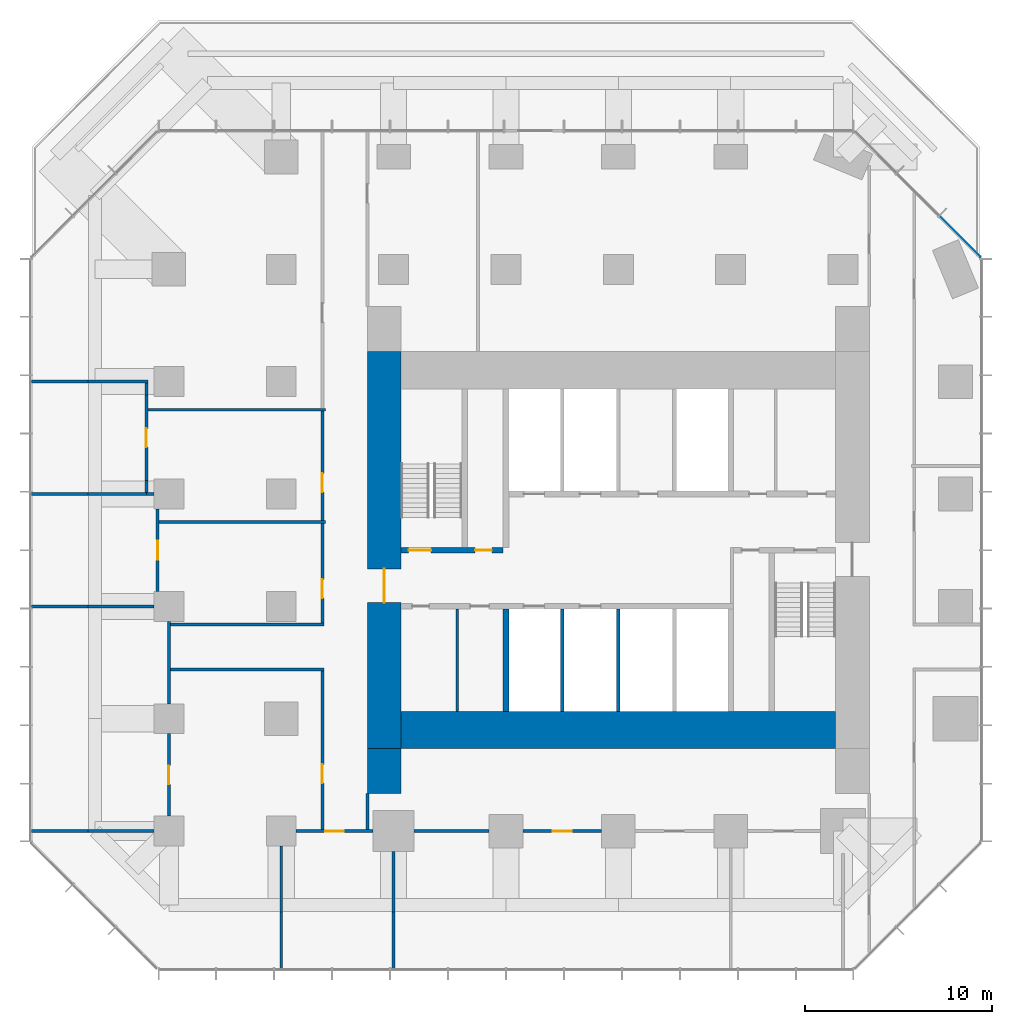
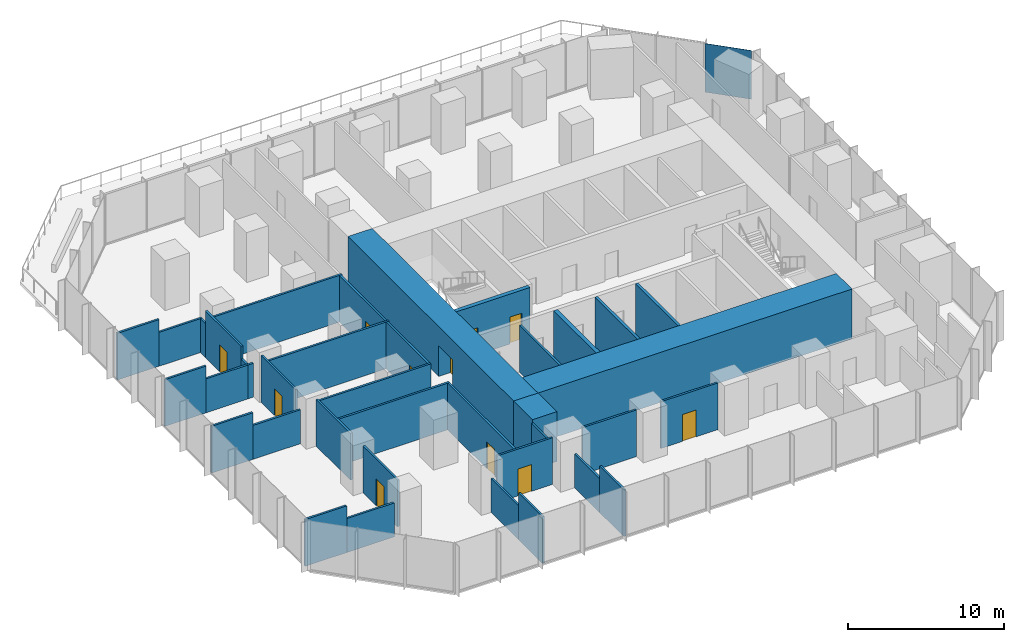
# One storey, part 8 of 11: 38 walls, 11 doors, 1 plate, 11 openings, 1 element without a shape of its own.
"""IFC4 building model written with IfcOpenShell, lengths in metres."""

from ifc_helpers import new_model, si_unit, direction, frame, frame_2d, origin, origin_2d, place, context, subcontext, project, spatial, rectangle, extrude, material, layer, layer_set, type_object, element, fill, aggregate, save


model = new_model("IFC4")

# Units and contexts
model_context = context("Model", 3, precision=1e-05, world=origin(), true_north=direction((0.0, 1.0)))
body_context = subcontext(model_context, "Body", "Model", "MODEL_VIEW")
ifc_project = project(units=[si_unit("LENGTHUNIT", "METRE"), si_unit("AREAUNIT", "SQUARE_METRE"), si_unit("VOLUMEUNIT", "CUBIC_METRE"), si_unit("PLANEANGLEUNIT", "RADIAN"), si_unit("MASSUNIT", "GRAM", prefix="KILO")], contexts=[model_context])

# Site, building, storey
site_placement = place(None, origin())
site = spatial("IfcSite", under=ifc_project, at=site_placement, CompositionType="ELEMENT")
building_placement = place(site_placement, origin())
building = spatial("IfcBuilding", under=site, at=building_placement, Name="Highveld Stack Headquarters", CompositionType="ELEMENT")
storey_placement = place(building_placement, frame((0.0, 0.0, 117.199951171875)))
storey = spatial("IfcBuildingStorey", under=building, at=storey_placement, Name="L28", CompositionType="ELEMENT", Elevation=117.199951171875)

# Curtain wall, plate
ifc_material_1 = material(Name="Aluminium bronze anodised", Category="aluminium")
ifc_layer_1 = layer(ifc_material_1, 0.199951171875)
ifc_layer_set_1 = layer_set([ifc_layer_1], Name="Aluminium bronze anodised")
curtain_wall_type = type_object("IfcCurtainWallType", Name="CW2 TOWER CHAMFER UNITISED CURTAIN WALL", PredefinedType="NOTDEFINED", material=ifc_layer_set_1)
curtain_wall_placement = place(storey_placement, origin())
curtain_wall = element("IfcCurtainWall", 1, at=curtain_wall_placement, inside=storey, type_object=curtain_wall_type, Name="Curtain wall CW2 L28 NE", PredefinedType="NOTDEFINED")
ifc_material_2 = material(Name="Glass bronze tinted double glazed unit", Category="glass")
ifc_layer_2 = layer(ifc_material_2, 0.028076171875)
ifc_layer_set_2 = layer_set([ifc_layer_2], Name="Glass bronze tinted double glazed unit")
plate_type = type_object("IfcPlateType", Name="CW2 PANEL BRONZE TINTED DOUBLE GLAZED UNIT", PredefinedType="CURTAIN_PANEL", material=ifc_layer_set_2)
plate_placement = place(storey_placement, frame((24.239501953125, 19.740478515625, 0.10009765625), z_axis=(0.0, 0.0, 1.0), x_axis=(-0.707106781187, 0.707106781187, 0.0)))
plate = element("IfcPlate", 2, at=plate_placement, type_object=plate_type, Name="CW2 panel L28 1.1", PredefinedType="CURTAIN_PANEL", context=body_context, shape_type="SweptSolid", body=[
    extrude(rectangle(XDim=3.08251953125, YDim=0.028076171875, at=origin_2d()), origin(), (0.0, 0.0, 1.0), 3.800048828125),
])
aggregate(curtain_wall, [plate])

# Wall, opening, door
ifc_material_3 = material(Name="Concrete C60/75", Category="concrete")
ifc_layer_3 = layer(ifc_material_3, 1.800048828125)
ifc_layer_set_3 = layer_set([ifc_layer_3], Name="Concrete C60/75")
wall_type_1 = type_object("IfcWallType", Name="CORE WALL 1800 C60/75", PredefinedType="SHEAR", material=ifc_layer_set_3)
wall_1_placement = place(storey_placement, frame((-6.5, -7.60009765625, 0.0), z_axis=(0.0, 0.0, 1.0), x_axis=(0.0, 1.0, 0.0)))
wall_1 = element("IfcWall", 3, at=wall_1_placement, inside=storey, type_object=wall_type_1, Name="Core wall W L28", PredefinedType="SHEAR", context=body_context, shape_type="SweptSolid", body=[
    extrude(rectangle(XDim=21.2001953125, YDim=1.800048828125, at=frame_2d((10.60009765625, 0.0))), origin(), (0.0, 0.0, 1.0), 3.900146484375),
])
opening_1_placement = place(wall_1_placement, frame((7.800048828125, 0.0, 0.0)))
opening_1 = element("IfcOpeningElement", 4, at=opening_1_placement, cuts=wall_1, Name="Opening L28-02", PredefinedType="OPENING", context=body_context, shape_type="SweptSolid", body=[
    extrude(rectangle(XDim=1.800048828125, YDim=2.39990234375, at=frame_2d((0.89990234375, 1.199951171875))), frame((0.0, 0.909912109375, 0.0), z_axis=(0.0, -1.0, 0.0), x_axis=(1.0, 0.0, 0.0)), (0.0, 0.0, 1.0), 1.820068359375),
])
ifc_material_4 = material(Name="Steel fire door", Category="steel")
door_type_1 = type_object("IfcDoorType", Name="LOBBY FIRE DOOR D4 1800x2400", OperationType="DOUBLE_DOOR_SINGLE_SWING", PredefinedType="DOOR", material=ifc_material_4)
door_1_placement = place(opening_1_placement, origin())
door_1 = element("IfcDoor", 5, at=door_1_placement, inside=storey, type_object=door_type_1, Name="Core west door L28", OperationType="DOUBLE_DOOR_SINGLE_SWING", OverallHeight=2.39990234375, OverallWidth=1.800048828125, PredefinedType="DOOR", context=body_context, shape_type="SweptSolid", body=[
    extrude(rectangle(XDim=1.800048828125, YDim=2.39990234375, at=frame_2d((0.89990234375, 1.199951171875))), frame((0.0, 0.02490234375, 0.0), z_axis=(0.0, -1.0, 0.0), x_axis=(1.0, 0.0, 0.0)), (0.0, 0.0, 1.0), 0.050048828125),
])
fill(opening_1, door_1)

# Wall
ifc_material_5 = material(Name="Concrete C60/75", Category="concrete")
ifc_layer_4 = layer(ifc_material_5, 2.0)
ifc_layer_set_4 = layer_set([ifc_layer_4], Name="Concrete C60/75")
wall_type_2 = type_object("IfcWallType", Name="CORE WALL 2000 C60/75", PredefinedType="SHEAR", material=ifc_layer_set_4)
wall_2_placement = place(storey_placement, frame((-5.60009765625, -6.60009765625, 0.0), z_axis=(0.0, 0.0, 1.0), x_axis=(1.0, 0.0, 0.0)))
element("IfcWall", 6, at=wall_2_placement, inside=storey, type_object=wall_type_2, Name="Core wall S L28", PredefinedType="SHEAR", context=body_context, shape_type="SweptSolid", body=[
    extrude(rectangle(XDim=23.2001953125, YDim=2.0, at=frame_2d((11.60009765625, 0.0))), origin(), (0.0, 0.0, 1.0), 3.900146484375),
])

# Wall, openings, doors
ifc_material_6 = material(Name="Concrete C60/75", Category="concrete")
ifc_layer_5 = layer(ifc_material_6, 0.300048828125)
ifc_layer_set_5 = layer_set([ifc_layer_5], Name="Concrete C60/75")
wall_type_3 = type_object("IfcWallType", Name="CORE WALL 300 C60/75", PredefinedType="SHEAR", material=ifc_layer_set_5)
wall_3_placement = place(storey_placement, frame((-5.60009765625, 3.0, 0.0), z_axis=(0.0, 0.0, 1.0), x_axis=(1.0, 0.0, 0.0)))
wall_3 = element("IfcWall", 7, at=wall_3_placement, inside=storey, type_object=wall_type_3, Name="Core wall I-Y3W L28", PredefinedType="SHEAR", context=body_context, shape_type="SweptSolid", body=[
    extrude(rectangle(XDim=5.4501953125, YDim=0.300048828125, at=frame_2d((2.72509765625, 0.0))), origin(), (0.0, 0.0, 1.0), 3.900146484375),
])
opening_2_placement = place(wall_3_placement, frame((0.39990234375, 0.0, 0.0)))
opening_2 = element("IfcOpeningElement", 8, at=opening_2_placement, cuts=wall_3, Name="Opening L28-04", PredefinedType="OPENING", context=body_context, shape_type="SweptSolid", body=[
    extrude(rectangle(XDim=1.199951171875, YDim=2.10009765625, at=frame_2d((0.60009765625, 1.050048828125))), frame((0.0, 0.159912109375, 0.0), z_axis=(0.0, -1.0, 0.0), x_axis=(1.0, 0.0, 0.0)), (0.0, 0.0, 1.0), 0.320068359375),
])
opening_3_placement = place(wall_3_placement, frame((3.949951171875, 0.0, 0.0)))
opening_3 = element("IfcOpeningElement", 9, at=opening_3_placement, cuts=wall_3, Name="Opening L28-05", PredefinedType="OPENING", context=body_context, shape_type="SweptSolid", body=[
    extrude(rectangle(XDim=0.89990234375, YDim=2.10009765625, at=frame_2d((0.449951171875, 1.050048828125))), frame((0.0, 0.159912109375, 0.0), z_axis=(0.0, -1.0, 0.0), x_axis=(1.0, 0.0, 0.0)), (0.0, 0.0, 1.0), 0.320068359375),
])
ifc_material_7 = material(Name="Steel fire door", Category="steel")
door_type_2 = type_object("IfcDoorType", Name="RISER ACCESS DOOR D5 900x2100", OperationType="SINGLE_SWING_LEFT", PredefinedType="DOOR", material=ifc_material_7)
door_2_placement = place(opening_3_placement, origin())
door_2 = element("IfcDoor", 10, at=door_2_placement, inside=storey, type_object=door_type_2, Name="Riser R1 door L28", OperationType="SINGLE_SWING_RIGHT", OverallHeight=2.10009765625, OverallWidth=0.89990234375, PredefinedType="DOOR", context=body_context, shape_type="SweptSolid", body=[
    extrude(rectangle(XDim=0.89990234375, YDim=2.10009765625, at=frame_2d((0.449951171875, 1.050048828125))), frame((0.0, 0.02490234375, 0.0), z_axis=(0.0, -1.0, 0.0), x_axis=(1.0, 0.0, 0.0)), (0.0, 0.0, 1.0), 0.050048828125),
])
fill(opening_3, door_2)
ifc_material_8 = material(Name="Steel fire door", Category="steel")
door_type_3 = type_object("IfcDoorType", Name="STAIR FIRE DOOR D3 1200x2100", OperationType="SINGLE_SWING_LEFT", PredefinedType="DOOR", material=ifc_material_8)
door_3_placement = place(opening_2_placement, origin())
door_3 = element("IfcDoor", 11, at=door_3_placement, inside=storey, type_object=door_type_3, Name="Stair S1 door L28", OperationType="SINGLE_SWING_LEFT", OverallHeight=2.10009765625, OverallWidth=1.199951171875, PredefinedType="DOOR", context=body_context, shape_type="SweptSolid", body=[
    extrude(rectangle(XDim=1.199951171875, YDim=2.10009765625, at=frame_2d((0.60009765625, 1.050048828125))), frame((0.0, 0.02490234375, 0.0), z_axis=(0.0, -1.0, 0.0), x_axis=(1.0, 0.0, 0.0)), (0.0, 0.0, 1.0), 0.050048828125),
])
fill(opening_2, door_3)

# Walls
wall_4_placement = place(storey_placement, frame((0.0, -5.60009765625, 0.0), z_axis=(0.0, 0.0, 1.0), x_axis=(0.0, 1.0, 0.0)))
element("IfcWall", 12, at=wall_4_placement, inside=storey, type_object=wall_type_3, Name="Core wall I-X0S L28", PredefinedType="SHEAR", context=body_context, shape_type="SweptSolid", body=[
    extrude(rectangle(XDim=5.4501953125, YDim=0.300048828125, at=frame_2d((2.72509765625, 0.0))), origin(), (0.0, 0.0, 1.0), 3.900146484375),
])
ifc_material_9 = material(Name="Concrete C60/75", Category="concrete")
ifc_layer_6 = layer(ifc_material_9, 1.800048828125)
ifc_layer_set_6 = layer_set([ifc_layer_6], Name="Concrete C60/75")
wall_type_4 = type_object("IfcWallType", Name="CORE WING WALL 1800 C60/75", PredefinedType="SHEAR", material=ifc_layer_set_6)
wall_5_placement = place(storey_placement, frame((-6.5, -10.0, 0.0), z_axis=(0.0, 0.0, 1.0), x_axis=(0.0, 1.0, 0.0)))
element("IfcWall", 13, at=wall_5_placement, inside=storey, type_object=wall_type_4, Name="Core wing wall WS L28", PredefinedType="SHEAR", context=body_context, shape_type="SweptSolid", body=[
    extrude(rectangle(XDim=2.39990234375, YDim=1.800048828125, at=frame_2d((1.199951171875, 0.0))), origin(), (0.0, 0.0, 1.0), 3.900146484375),
])

# Wall, opening, door
ifc_material_10 = material(Name="Laminated glass in aluminium frame", Category="aluminium")
ifc_layer_7 = layer(ifc_material_10, 0.14990234375)
ifc_layer_set_7 = layer_set([ifc_layer_7], Name="Laminated glass in aluminium frame")
wall_type_5 = type_object("IfcWallType", Name="GLAZED PARTITION 150", PredefinedType="PARTITIONING", material=ifc_layer_set_7)
wall_6_placement = place(storey_placement, frame((-11.199951171875, -12.0, 0.0), z_axis=(0.0, 0.0, 1.0), x_axis=(1.0, 0.0, 0.0)))
wall_6 = element("IfcWall", 14, at=wall_6_placement, inside=storey, type_object=wall_type_5, Name="Glazed partition Meeting room L28", PredefinedType="PARTITIONING", context=body_context, shape_type="SweptSolid", body=[
    extrude(rectangle(XDim=4.099853515625, YDim=0.14990234375, at=frame_2d((2.0498046875, 0.0))), origin(), (0.0, 0.0, 1.0), 3.650146484375),
])
opening_4_placement = place(wall_6_placement, frame((1.550048828125, 0.0, 0.0)))
opening_4 = element("IfcOpeningElement", 15, at=opening_4_placement, cuts=wall_6, Name="Opening L28-13", PredefinedType="OPENING", context=body_context, shape_type="SweptSolid", body=[
    extrude(rectangle(XDim=1.0, YDim=2.10009765625, at=frame_2d((0.5, 1.050048828125))), frame((0.0, 0.0849609375, 0.0), z_axis=(0.0, -1.0, 0.0), x_axis=(1.0, 0.0, 0.0)), (0.0, 0.0, 1.0), 0.169921875),
])
ifc_material_11 = material(Name="Timber door, oiled ash", Category="wood")
door_type_4 = type_object("IfcDoorType", Name="ROOM DOOR D6 1000x2100", OperationType="SINGLE_SWING_LEFT", PredefinedType="DOOR", material=ifc_material_11)
door_4_placement = place(opening_4_placement, origin())
door_4 = element("IfcDoor", 16, at=door_4_placement, inside=storey, type_object=door_type_4, Name="Meeting room door 1 L28", OperationType="SINGLE_SWING_RIGHT", OverallHeight=2.10009765625, OverallWidth=1.0, PredefinedType="DOOR", context=body_context, shape_type="SweptSolid", body=[
    extrude(rectangle(XDim=1.0, YDim=2.10009765625, at=frame_2d((0.5, 1.050048828125))), frame((0.0, 0.02490234375, 0.0), z_axis=(0.0, -1.0, 0.0), x_axis=(1.0, 0.0, 0.0)), (0.0, 0.0, 1.0), 0.050048828125),
])
fill(opening_4, door_4)

# Wall
wall_7_placement = place(storey_placement, frame((-4.89990234375, -12.0, 0.0), z_axis=(0.0, 0.0, 1.0), x_axis=(1.0, 0.0, 0.0)))
element("IfcWall", 17, at=wall_7_placement, inside=storey, type_object=wall_type_5, Name="Glazed partition Project office L28", PredefinedType="PARTITIONING", context=body_context, shape_type="SweptSolid", body=[
    extrude(rectangle(XDim=4.0, YDim=0.14990234375, at=frame_2d((2.0, 0.0))), origin(), (0.0, 0.0, 1.0), 3.650146484375),
])

# Wall, opening, door
wall_8_placement = place(storey_placement, frame((0.89990234375, -12.0, 0.0), z_axis=(0.0, 0.0, 1.0), x_axis=(1.0, 0.0, 0.0)))
wall_8 = element("IfcWall", 18, at=wall_8_placement, inside=storey, type_object=wall_type_5, Name="Glazed partition Project office L28", PredefinedType="PARTITIONING", context=body_context, shape_type="SweptSolid", body=[
    extrude(rectangle(XDim=4.2001953125, YDim=0.14990234375, at=frame_2d((2.10009765625, 0.0))), origin(), (0.0, 0.0, 1.0), 3.650146484375),
])
opening_5_placement = place(wall_8_placement, frame((1.60009765625, 0.0, 0.0)))
opening_5 = element("IfcOpeningElement", 19, at=opening_5_placement, cuts=wall_8, Name="Opening L28-15", PredefinedType="OPENING", context=body_context, shape_type="SweptSolid", body=[
    extrude(rectangle(XDim=1.0, YDim=2.10009765625, at=frame_2d((0.5, 1.050048828125))), frame((0.0, 0.0849609375, 0.0), z_axis=(0.0, -1.0, 0.0), x_axis=(1.0, 0.0, 0.0)), (0.0, 0.0, 1.0), 0.169921875),
])
door_5_placement = place(opening_5_placement, origin())
door_5 = element("IfcDoor", 20, at=door_5_placement, inside=storey, type_object=door_type_4, Name="Project office door 2 L28", OperationType="SINGLE_SWING_RIGHT", OverallHeight=2.10009765625, OverallWidth=1.0, PredefinedType="DOOR", context=body_context, shape_type="SweptSolid", body=[
    extrude(rectangle(XDim=1.0, YDim=2.10009765625, at=frame_2d((0.5, 1.050048828125))), frame((0.0, 0.02490234375, 0.0), z_axis=(0.0, -1.0, 0.0), x_axis=(1.0, 0.0, 0.0)), (0.0, 0.0, 1.0), 0.050048828125),
])
fill(opening_5, door_5)

wall_9_placement = place(storey_placement, frame((-18.60009765625, 0.800048828125, 0.0), z_axis=(0.0, 0.0, 1.0), x_axis=(0.0, 1.0, 0.0)))
wall_9 = element("IfcWall", 21, at=wall_9_placement, inside=storey, type_object=wall_type_5, Name="Glazed partition Video conference room L28", PredefinedType="PARTITIONING", context=body_context, shape_type="SweptSolid", body=[
    extrude(rectangle(XDim=4.39990234375, YDim=0.14990234375, at=frame_2d((2.199951171875, 0.0))), origin(), (0.0, 0.0, 1.0), 3.650146484375),
])
opening_6_placement = place(wall_9_placement, frame((1.699951171875, 0.0, 0.0)))
opening_6 = element("IfcOpeningElement", 22, at=opening_6_placement, cuts=wall_9, Name="Opening L28-18", PredefinedType="OPENING", context=body_context, shape_type="SweptSolid", body=[
    extrude(rectangle(XDim=1.0, YDim=2.10009765625, at=frame_2d((0.5, 1.050048828125))), frame((0.0, 0.0849609375, 0.0), z_axis=(0.0, -1.0, 0.0), x_axis=(1.0, 0.0, 0.0)), (0.0, 0.0, 1.0), 0.169921875),
])
door_6_placement = place(opening_6_placement, origin())
door_6 = element("IfcDoor", 23, at=door_6_placement, inside=storey, type_object=door_type_4, Name="Video conference room door 1 L28", OperationType="SINGLE_SWING_RIGHT", OverallHeight=2.10009765625, OverallWidth=1.0, PredefinedType="DOOR", context=body_context, shape_type="SweptSolid", body=[
    extrude(rectangle(XDim=1.0, YDim=2.10009765625, at=frame_2d((0.5, 1.050048828125))), frame((0.0, 0.02490234375, 0.0), z_axis=(0.0, -1.0, 0.0), x_axis=(1.0, 0.0, 0.0)), (0.0, 0.0, 1.0), 0.050048828125),
])
fill(opening_6, door_6)

# Walls
ifc_material_12 = material(Name="Concrete blockwork, fair-faced", Category="masonry")
ifc_layer_8 = layer(ifc_material_12, 0.199951171875)
ifc_layer_set_8 = layer_set([ifc_layer_8], Name="Concrete blockwork, fair-faced")
wall_type_6 = type_object("IfcWallType", Name="LIFT SHAFT ENCLOSURE WALL 200 BLOCKWORK", PredefinedType="SOLIDWALL", material=ifc_layer_set_8)
for number, where, z_axis, x_axis, name in (
    (24, (3.0, -5.60009765625, 0.0), (0.0, 0.0, 1.0), (0.0, 1.0, 0.0), "Lift shaft wall L28"),
    (25, (6.0, -5.60009765625, 0.0), (0.0, 0.0, 1.0), (0.0, 1.0, 0.0), "Lift shaft wall L28"),
):
    element("IfcWall", number, at=place(storey_placement, frame(where, z_axis=z_axis, x_axis=x_axis)), inside=storey, type_object=wall_type_6, Name=name, PredefinedType="SOLIDWALL", context=body_context, shape_type="SweptSolid", body=[
        extrude(rectangle(XDim=5.4501953125, YDim=0.199951171875, at=frame_2d((2.72509765625, 0.0))), origin(), (0.0, 0.0, 1.0), 3.900146484375),
    ])
ifc_material_13 = material(Name="Gypsum plasterboard on steel studs", Category="steel")
ifc_layer_9 = layer(ifc_material_13, 0.14990234375)
ifc_layer_set_9 = layer_set([ifc_layer_9], Name="Gypsum plasterboard on steel studs")
wall_type_7 = type_object("IfcWallType", Name="PARTITION 150 PLASTERBOARD", PredefinedType="PARTITIONING", material=ifc_layer_set_9)
wall_10_placement = place(storey_placement, frame((-25.39990234375, -12.0, 0.0), z_axis=(0.0, 0.0, 1.0), x_axis=(1.0, 0.0, 0.0)))
element("IfcWall", 26, at=wall_10_placement, inside=storey, type_object=wall_type_7, Name="Partition Team office L28", PredefinedType="PARTITIONING", context=body_context, shape_type="SweptSolid", body=[
    extrude(rectangle(XDim=3.08984375, YDim=0.14990234375, at=frame_2d((1.544921875, 0.0))), origin(), (0.0, 0.0, 1.0), 3.650146484375),
])
wall_11_placement = place(storey_placement, frame((-22.31005859375, -12.0, 0.0), z_axis=(0.0, 0.0, 1.0), x_axis=(1.0, 0.0, 0.0)))
element("IfcWall", 27, at=wall_11_placement, inside=storey, type_object=wall_type_7, Name="Partition Team office L28", PredefinedType="PARTITIONING", context=body_context, shape_type="SweptSolid", body=[
    extrude(rectangle(XDim=3.510009765625, YDim=0.14990234375, at=frame_2d((1.7548828125, 0.0))), origin(), (0.0, 0.0, 1.0), 2.650146484375),
])
wall_12_placement = place(storey_placement, frame((-25.35009765625, 0.0, 0.0), z_axis=(0.0, 0.0, 1.0), x_axis=(1.0, 0.0, 0.0)))
element("IfcWall", 28, at=wall_12_placement, inside=storey, type_object=wall_type_7, Name="Partition Team office / Video conference room L28", PredefinedType="PARTITIONING", context=body_context, shape_type="SweptSolid", body=[
    extrude(rectangle(XDim=3.0400390625, YDim=0.14990234375, at=frame_2d((1.52001953125, 0.0))), origin(), (0.0, 0.0, 1.0), 3.650146484375),
])
wall_13_placement = place(storey_placement, frame((-22.31005859375, 0.0, 0.0), z_axis=(0.0, 0.0, 1.0), x_axis=(1.0, 0.0, 0.0)))
element("IfcWall", 29, at=wall_13_placement, inside=storey, type_object=wall_type_7, Name="Partition Team office / Video conference room L28", PredefinedType="PARTITIONING", context=body_context, shape_type="SweptSolid", body=[
    extrude(rectangle(XDim=3.510009765625, YDim=0.14990234375, at=frame_2d((1.7548828125, 0.0))), origin(), (0.0, 0.0, 1.0), 2.650146484375),
])
wall_14_placement = place(storey_placement, frame((-25.35009765625, 6.0, 0.0), z_axis=(0.0, 0.0, 1.0), x_axis=(1.0, 0.0, 0.0)))
element("IfcWall", 30, at=wall_14_placement, inside=storey, type_object=wall_type_7, Name="Partition Tea kitchen / Video conference room L28", PredefinedType="PARTITIONING", context=body_context, shape_type="SweptSolid", body=[
    extrude(rectangle(XDim=3.0400390625, YDim=0.14990234375, at=frame_2d((1.52001953125, 0.0))), origin(), (0.0, 0.0, 1.0), 3.650146484375),
])
wall_15_placement = place(storey_placement, frame((-22.31005859375, 6.0, 0.0), z_axis=(0.0, 0.0, 1.0), x_axis=(1.0, 0.0, 0.0)))
element("IfcWall", 31, at=wall_15_placement, inside=storey, type_object=wall_type_7, Name="Partition Tea kitchen / Video conference room L28", PredefinedType="PARTITIONING", context=body_context, shape_type="SweptSolid", body=[
    extrude(rectangle(XDim=3.18505859375, YDim=0.14990234375, at=frame_2d((1.592529296875, 0.0))), origin(), (0.0, 0.0, 1.0), 2.650146484375),
])
wall_16_placement = place(storey_placement, frame((-19.199951171875, 6.0, 0.0), z_axis=(0.0, 0.0, 1.0), x_axis=(1.0, 0.0, 0.0)))
element("IfcWall", 32, at=wall_16_placement, inside=storey, type_object=wall_type_7, Name="Partition Video conference room L28", PredefinedType="PARTITIONING", context=body_context, shape_type="SweptSolid", body=[
    extrude(rectangle(XDim=0.39990234375, YDim=0.14990234375, at=frame_2d((0.199951171875, 0.0))), origin(), (0.0, 0.0, 1.0), 2.650146484375),
])
wall_17_placement = place(storey_placement, frame((-25.39990234375, 12.0, 0.0), z_axis=(0.0, 0.0, 1.0), x_axis=(1.0, 0.0, 0.0)))
element("IfcWall", 33, at=wall_17_placement, inside=storey, type_object=wall_type_7, Name="Partition Tea kitchen L28", PredefinedType="PARTITIONING", context=body_context, shape_type="SweptSolid", body=[
    extrude(rectangle(XDim=3.08984375, YDim=0.14990234375, at=frame_2d((1.544921875, 0.0))), origin(), (0.0, 0.0, 1.0), 3.650146484375),
])
wall_18_placement = place(storey_placement, frame((-22.31005859375, 12.0, 0.0), z_axis=(0.0, 0.0, 1.0), x_axis=(1.0, 0.0, 0.0)))
element("IfcWall", 34, at=wall_18_placement, inside=storey, type_object=wall_type_7, Name="Partition Tea kitchen L28", PredefinedType="PARTITIONING", context=body_context, shape_type="SweptSolid", body=[
    extrude(rectangle(XDim=3.18505859375, YDim=0.14990234375, at=frame_2d((1.592529296875, 0.0))), origin(), (0.0, 0.0, 1.0), 2.650146484375),
])
wall_19_placement = place(storey_placement, frame((-19.199951171875, 6.074951171875, 0.0), z_axis=(0.0, 0.0, 1.0), x_axis=(0.0, 1.0, 0.0)))
element("IfcWall", 35, at=wall_19_placement, inside=storey, type_object=wall_type_7, Name="Partition Tea kitchen L28", PredefinedType="PARTITIONING", context=body_context, shape_type="SweptSolid", body=[
    extrude(rectangle(XDim=0.635009765625, YDim=0.14990234375, at=frame_2d((0.3173828125, 0.0))), origin(), (0.0, 0.0, 1.0), 2.650146484375),
])

# Wall, opening, door
wall_20_placement = place(storey_placement, frame((-19.199951171875, 6.7099609375, 0.0), z_axis=(0.0, 0.0, 1.0), x_axis=(0.0, 1.0, 0.0)))
wall_20 = element("IfcWall", 36, at=wall_20_placement, inside=storey, type_object=wall_type_7, Name="Partition Tea kitchen L28", PredefinedType="PARTITIONING", context=body_context, shape_type="SweptSolid", body=[
    extrude(rectangle(XDim=4.580078125, YDim=0.14990234375, at=frame_2d((2.2900390625, 0.0))), origin(), (0.0, 0.0, 1.0), 3.650146484375),
])
opening_7_placement = place(wall_20_placement, frame((1.7900390625, 0.0, 0.0)))
opening_7 = element("IfcOpeningElement", 37, at=opening_7_placement, cuts=wall_20, Name="Opening L28-19", PredefinedType="OPENING", context=body_context, shape_type="SweptSolid", body=[
    extrude(rectangle(XDim=1.0, YDim=2.10009765625, at=frame_2d((0.5, 1.050048828125))), frame((0.0, 0.0849609375, 0.0), z_axis=(0.0, -1.0, 0.0), x_axis=(1.0, 0.0, 0.0)), (0.0, 0.0, 1.0), 0.169921875),
])
door_7_placement = place(opening_7_placement, origin())
door_7 = element("IfcDoor", 38, at=door_7_placement, inside=storey, type_object=door_type_4, Name="Tea kitchen door 1 L28", OperationType="SINGLE_SWING_RIGHT", OverallHeight=2.10009765625, OverallWidth=1.0, PredefinedType="DOOR", context=body_context, shape_type="SweptSolid", body=[
    extrude(rectangle(XDim=1.0, YDim=2.10009765625, at=frame_2d((0.5, 1.050048828125))), frame((0.0, 0.02490234375, 0.0), z_axis=(0.0, -1.0, 0.0), x_axis=(1.0, 0.0, 0.0)), (0.0, 0.0, 1.0), 0.050048828125),
])
fill(opening_7, door_7)

# Wall
wall_21_placement = place(storey_placement, frame((-19.199951171875, 11.2900390625, 0.0), z_axis=(0.0, 0.0, 1.0), x_axis=(0.0, 1.0, 0.0)))
element("IfcWall", 39, at=wall_21_placement, inside=storey, type_object=wall_type_7, Name="Partition Tea kitchen L28", PredefinedType="PARTITIONING", context=body_context, shape_type="SweptSolid", body=[
    extrude(rectangle(XDim=0.635009765625, YDim=0.14990234375, at=frame_2d((0.3173828125, 0.0))), origin(), (0.0, 0.0, 1.0), 2.650146484375),
])

# Wall, opening, door
wall_22_placement = place(storey_placement, frame((-18.0, -11.199951171875, 0.0), z_axis=(0.0, 0.0, 1.0), x_axis=(0.0, 1.0, 0.0)))
wall_22 = element("IfcWall", 40, at=wall_22_placement, inside=storey, type_object=wall_type_7, Name="Partition Team office L28", PredefinedType="PARTITIONING", context=body_context, shape_type="SweptSolid", body=[
    extrude(rectangle(XDim=4.39990234375, YDim=0.14990234375, at=frame_2d((2.199951171875, 0.0))), origin(), (0.0, 0.0, 1.0), 3.650146484375),
])
opening_8_placement = place(wall_22_placement, frame((1.699951171875, 0.0, 0.0)))
opening_8 = element("IfcOpeningElement", 41, at=opening_8_placement, cuts=wall_22, Name="Opening L28-17", PredefinedType="OPENING", context=body_context, shape_type="SweptSolid", body=[
    extrude(rectangle(XDim=1.0, YDim=2.10009765625, at=frame_2d((0.5, 1.050048828125))), frame((0.0, 0.0849609375, 0.0), z_axis=(0.0, -1.0, 0.0), x_axis=(1.0, 0.0, 0.0)), (0.0, 0.0, 1.0), 0.169921875),
])
door_8_placement = place(opening_8_placement, origin())
door_8 = element("IfcDoor", 42, at=door_8_placement, inside=storey, type_object=door_type_4, Name="Team office door 1 L28", OperationType="SINGLE_SWING_RIGHT", OverallHeight=2.10009765625, OverallWidth=1.0, PredefinedType="DOOR", context=body_context, shape_type="SweptSolid", body=[
    extrude(rectangle(XDim=1.0, YDim=2.10009765625, at=frame_2d((0.5, 1.050048828125))), frame((0.0, 0.02490234375, 0.0), z_axis=(0.0, -1.0, 0.0), x_axis=(1.0, 0.0, 0.0)), (0.0, 0.0, 1.0), 0.050048828125),
])
fill(opening_8, door_8)

# Walls
wall_23_placement = place(storey_placement, frame((-18.0, -5.199951171875, 0.0), z_axis=(0.0, 0.0, 1.0), x_axis=(0.0, 1.0, 0.0)))
element("IfcWall", 43, at=wall_23_placement, inside=storey, type_object=wall_type_7, Name="Partition Team office L28", PredefinedType="PARTITIONING", context=body_context, shape_type="SweptSolid", body=[
    extrude(rectangle(XDim=4.39990234375, YDim=0.14990234375, at=frame_2d((2.199951171875, 0.0))), origin(), (0.0, 0.0, 1.0), 3.650146484375),
])
wall_24_placement = place(storey_placement, frame((-12.0, -19.39990234375, 0.0), z_axis=(0.0, 0.0, 1.0), x_axis=(0.0, 1.0, 0.0)))
element("IfcWall", 44, at=wall_24_placement, inside=storey, type_object=wall_type_7, Name="Partition Meeting room L28", PredefinedType="PARTITIONING", context=body_context, shape_type="SweptSolid", body=[
    extrude(rectangle(XDim=3.08984375, YDim=0.14990234375, at=frame_2d((1.544921875, 0.0))), origin(), (0.0, 0.0, 1.0), 3.650146484375),
])
wall_25_placement = place(storey_placement, frame((-12.0, -16.31005859375, 0.0), z_axis=(0.0, 0.0, 1.0), x_axis=(0.0, 1.0, 0.0)))
element("IfcWall", 45, at=wall_25_placement, inside=storey, type_object=wall_type_7, Name="Partition Meeting room L28", PredefinedType="PARTITIONING", context=body_context, shape_type="SweptSolid", body=[
    extrude(rectangle(XDim=3.510009765625, YDim=0.14990234375, at=frame_2d((1.7548828125, 0.0))), origin(), (0.0, 0.0, 1.0), 2.650146484375),
])
wall_26_placement = place(storey_placement, frame((-6.0, -19.39990234375, 0.0), z_axis=(0.0, 0.0, 1.0), x_axis=(0.0, 1.0, 0.0)))
element("IfcWall", 46, at=wall_26_placement, inside=storey, type_object=wall_type_7, Name="Partition Meeting room / Project office L28", PredefinedType="PARTITIONING", context=body_context, shape_type="SweptSolid", body=[
    extrude(rectangle(XDim=3.08984375, YDim=0.14990234375, at=frame_2d((1.544921875, 0.0))), origin(), (0.0, 0.0, 1.0), 3.650146484375),
])
wall_27_placement = place(storey_placement, frame((-6.0, -16.31005859375, 0.0), z_axis=(0.0, 0.0, 1.0), x_axis=(0.0, 1.0, 0.0)))
element("IfcWall", 47, at=wall_27_placement, inside=storey, type_object=wall_type_7, Name="Partition Meeting room / Project office L28", PredefinedType="PARTITIONING", context=body_context, shape_type="SweptSolid", body=[
    extrude(rectangle(XDim=3.2099609375, YDim=0.14990234375, at=frame_2d((1.60498046875, 0.0))), origin(), (0.0, 0.0, 1.0), 2.650146484375),
])
wall_28_placement = place(storey_placement, frame((-19.125, 10.5, 0.0), z_axis=(0.0, 0.0, 1.0), x_axis=(1.0, 0.0, 0.0)))
element("IfcWall", 48, at=wall_28_placement, inside=storey, type_object=wall_type_7, Name="Partition office neighbourhood L28", PredefinedType="PARTITIONING", context=body_context, shape_type="SweptSolid", body=[
    extrude(rectangle(XDim=9.47509765625, YDim=0.14990234375, at=frame_2d((4.737548828125, 0.0))), origin(), (0.0, 0.0, 1.0), 3.650146484375),
])
wall_29_placement = place(storey_placement, frame((-18.52490234375, 4.5, 0.0), z_axis=(0.0, 0.0, 1.0), x_axis=(1.0, 0.0, 0.0)))
element("IfcWall", 49, at=wall_29_placement, inside=storey, type_object=wall_type_7, Name="Partition office neighbourhood L28", PredefinedType="PARTITIONING", context=body_context, shape_type="SweptSolid", body=[
    extrude(rectangle(XDim=8.875, YDim=0.14990234375, at=frame_2d((4.4375, 0.0))), origin(), (0.0, 0.0, 1.0), 3.650146484375),
])
for number, where, z_axis, x_axis, name in (
    (50, (-17.925048828125, -3.375, 0.0), (0.0, 0.0, 1.0), (1.0, 0.0, 0.0), "Partition office neighbourhood L28"),
    (51, (-17.925048828125, -0.97509765625, 0.0), (0.0, 0.0, 1.0), (1.0, 0.0, 0.0), "Partition office neighbourhood L28"),
):
    element("IfcWall", number, at=place(storey_placement, frame(where, z_axis=z_axis, x_axis=x_axis)), inside=storey, type_object=wall_type_7, Name=name, PredefinedType="PARTITIONING", context=body_context, shape_type="SweptSolid", body=[
        extrude(rectangle(XDim=8.199951171875, YDim=0.14990234375, at=frame_2d((4.10009765625, 0.0))), origin(), (0.0, 0.0, 1.0), 3.650146484375),
    ])

# Wall, opening, door
wall_30_placement = place(storey_placement, frame((-9.800048828125, -11.925048828125, 0.0), z_axis=(0.0, 0.0, 1.0), x_axis=(0.0, 1.0, 0.0)))
wall_30 = element("IfcWall", 52, at=wall_30_placement, inside=storey, type_object=wall_type_7, Name="Partition office neighbourhood L28", PredefinedType="PARTITIONING", context=body_context, shape_type="SweptSolid", body=[
    extrude(rectangle(XDim=8.47509765625, YDim=0.14990234375, at=frame_2d((4.237548828125, 0.0))), origin(), (0.0, 0.0, 1.0), 3.650146484375),
])
opening_9_placement = place(wall_30_placement, frame((2.492919921875, 0.0, 0.0)))
opening_9 = element("IfcOpeningElement", 53, at=opening_9_placement, cuts=wall_30, Name="Opening L28-20", PredefinedType="OPENING", context=body_context, shape_type="SweptSolid", body=[
    extrude(rectangle(XDim=1.0, YDim=2.10009765625, at=frame_2d((0.5, 1.050048828125))), frame((0.0, 0.0849609375, 0.0), z_axis=(0.0, -1.0, 0.0), x_axis=(1.0, 0.0, 0.0)), (0.0, 0.0, 1.0), 0.169921875),
])
door_9_placement = place(opening_9_placement, origin())
door_9 = element("IfcDoor", 54, at=door_9_placement, inside=storey, type_object=door_type_4, Name="Office neighbourhood door L28", OperationType="SINGLE_SWING_LEFT", OverallHeight=2.10009765625, OverallWidth=1.0, PredefinedType="DOOR", context=body_context, shape_type="SweptSolid", body=[
    extrude(rectangle(XDim=1.0, YDim=2.10009765625, at=frame_2d((0.5, 1.050048828125))), frame((0.0, 0.02490234375, 0.0), z_axis=(0.0, -1.0, 0.0), x_axis=(1.0, 0.0, 0.0)), (0.0, 0.0, 1.0), 0.050048828125),
])
fill(opening_9, door_9)

wall_31_placement = place(storey_placement, frame((-9.800048828125, -0.89990234375, 0.0), z_axis=(0.0, 0.0, 1.0), x_axis=(0.0, 1.0, 0.0)))
wall_31 = element("IfcWall", 55, at=wall_31_placement, inside=storey, type_object=wall_type_7, Name="Partition office neighbourhood L28", PredefinedType="PARTITIONING", context=body_context, shape_type="SweptSolid", body=[
    extrude(rectangle(XDim=5.324951171875, YDim=0.14990234375, at=frame_2d((2.66259765625, 0.0))), origin(), (0.0, 0.0, 1.0), 3.650146484375),
])
opening_10_placement = place(wall_31_placement, frame((1.341064453125, 0.0, 0.0)))
opening_10 = element("IfcOpeningElement", 56, at=opening_10_placement, cuts=wall_31, Name="Opening L28-28", PredefinedType="OPENING", context=body_context, shape_type="SweptSolid", body=[
    extrude(rectangle(XDim=1.0, YDim=2.10009765625, at=frame_2d((0.5, 1.050048828125))), frame((0.0, 0.0849609375, 0.0), z_axis=(0.0, -1.0, 0.0), x_axis=(1.0, 0.0, 0.0)), (0.0, 0.0, 1.0), 0.169921875),
])
door_10_placement = place(opening_10_placement, origin())
door_10 = element("IfcDoor", 57, at=door_10_placement, inside=storey, type_object=door_type_4, Name="Office neighbourhood door L28", OperationType="SINGLE_SWING_LEFT", OverallHeight=2.10009765625, OverallWidth=1.0, PredefinedType="DOOR", context=body_context, shape_type="SweptSolid", body=[
    extrude(rectangle(XDim=1.0, YDim=2.10009765625, at=frame_2d((0.5, 1.050048828125))), frame((0.0, 0.02490234375, 0.0), z_axis=(0.0, -1.0, 0.0), x_axis=(1.0, 0.0, 0.0)), (0.0, 0.0, 1.0), 0.050048828125),
])
fill(opening_10, door_10)

wall_32_placement = place(storey_placement, frame((-9.800048828125, 4.574951171875, 0.0), z_axis=(0.0, 0.0, 1.0), x_axis=(0.0, 1.0, 0.0)))
wall_32 = element("IfcWall", 58, at=wall_32_placement, inside=storey, type_object=wall_type_7, Name="Partition office neighbourhood L28", PredefinedType="PARTITIONING", context=body_context, shape_type="SweptSolid", body=[
    extrude(rectangle(XDim=5.85009765625, YDim=0.14990234375, at=frame_2d((2.925048828125, 0.0))), origin(), (0.0, 0.0, 1.0), 3.650146484375),
])
opening_11_placement = place(wall_32_placement, frame((1.52490234375, 0.0, 0.0)))
opening_11 = element("IfcOpeningElement", 59, at=opening_11_placement, cuts=wall_32, Name="Opening L28-24", PredefinedType="OPENING", context=body_context, shape_type="SweptSolid", body=[
    extrude(rectangle(XDim=1.0, YDim=2.10009765625, at=frame_2d((0.5, 1.050048828125))), frame((0.0, 0.0849609375, 0.0), z_axis=(0.0, -1.0, 0.0), x_axis=(1.0, 0.0, 0.0)), (0.0, 0.0, 1.0), 0.169921875),
])
door_11_placement = place(opening_11_placement, origin())
door_11 = element("IfcDoor", 60, at=door_11_placement, inside=storey, type_object=door_type_4, Name="Office neighbourhood door L28", OperationType="SINGLE_SWING_LEFT", OverallHeight=2.10009765625, OverallWidth=1.0, PredefinedType="DOOR", context=body_context, shape_type="SweptSolid", body=[
    extrude(rectangle(XDim=1.0, YDim=2.10009765625, at=frame_2d((0.5, 1.050048828125))), frame((0.0, 0.02490234375, 0.0), z_axis=(0.0, -1.0, 0.0), x_axis=(1.0, 0.0, 0.0)), (0.0, 0.0, 1.0), 0.050048828125),
])
fill(opening_11, door_11)

# Walls
wall_33_placement = place(storey_placement, frame((-7.39990234375, -11.925048828125, 0.0), z_axis=(0.0, 0.0, 1.0), x_axis=(0.0, 1.0, 0.0)))
element("IfcWall", 61, at=wall_33_placement, inside=storey, type_object=wall_type_7, Name="Partition office neighbourhood L28", PredefinedType="PARTITIONING", context=body_context, shape_type="SweptSolid", body=[
    extrude(rectangle(XDim=1.925048828125, YDim=0.14990234375, at=frame_2d((0.96240234375, 0.0))), origin(), (0.0, 0.0, 1.0), 3.650146484375),
])
ifc_material_14 = material(Name="Concrete blockwork, tiled", Category="masonry")
ifc_layer_10 = layer(ifc_material_14, 0.14990234375)
ifc_layer_set_10 = layer_set([ifc_layer_10], Name="Concrete blockwork, tiled")
wall_type_8 = type_object("IfcWallType", Name="WC PARTITION 150", PredefinedType="PLUMBINGWALL", material=ifc_layer_set_10)
wall_34_placement = place(storey_placement, frame((-2.60009765625, -5.60009765625, 0.0), z_axis=(0.0, 0.0, 1.0), x_axis=(0.0, 1.0, 0.0)))
element("IfcWall", 62, at=wall_34_placement, inside=storey, type_object=wall_type_8, Name="Toilet partition L28", PredefinedType="PLUMBINGWALL", context=body_context, shape_type="SweptSolid", body=[
    extrude(rectangle(XDim=5.4501953125, YDim=0.14990234375, at=frame_2d((2.72509765625, 0.0))), origin(), (0.0, 0.0, 1.0), 3.650146484375),
])

save(model, "model.ifc")
